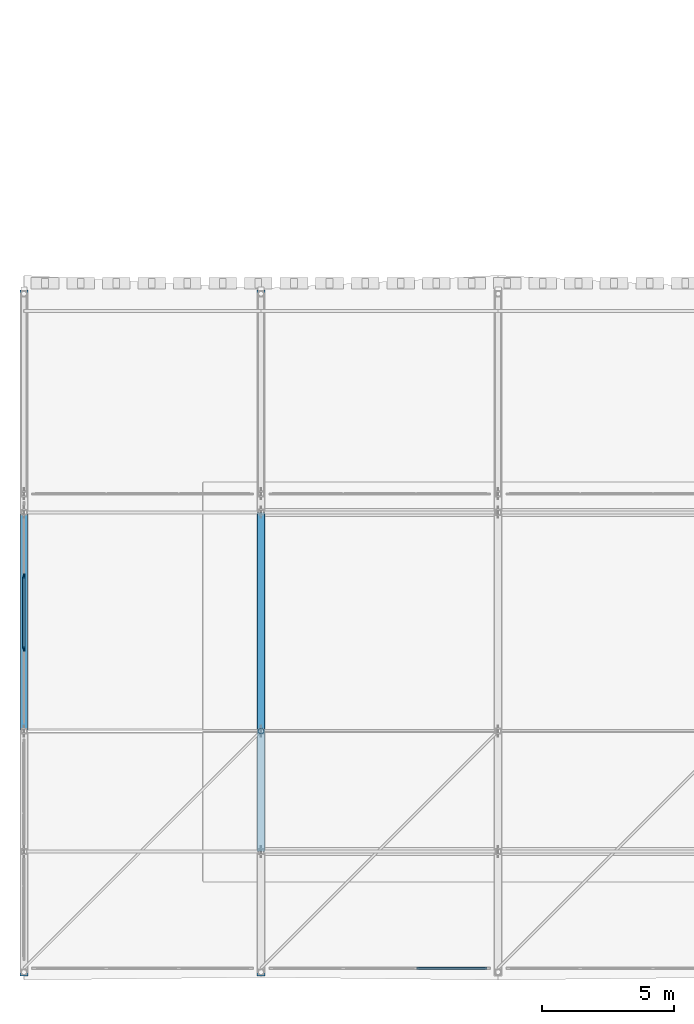
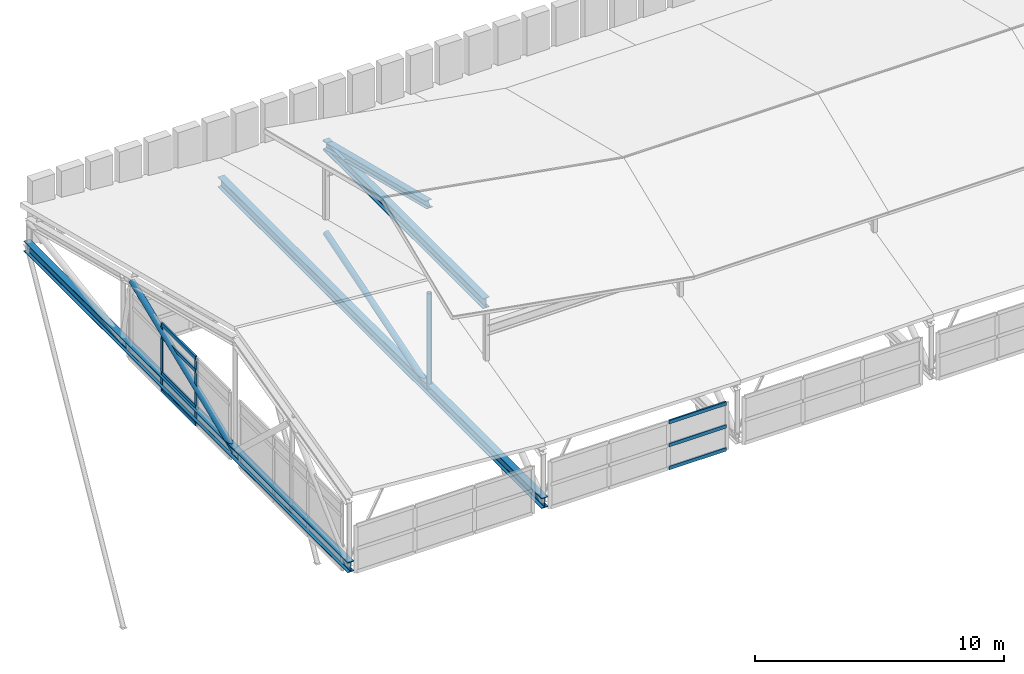
# One storey, part 2 of 42: 13 members, 3 beams, 2 elements without a shape of their own.
"""IFC4 building model written with IfcOpenShell, lengths in metres."""

from ifc_helpers import new_model, si_unit, direction, frame, origin, origin_2d, place, context, subcontext, project, spatial, rectangle, hollow_circle, i_section, extrude, material, material_profile, profile_set, type_object, element, aggregate, save


model = new_model("IFC4")

# Units and contexts
model_context = context("Model", 3, precision=1e-05, world=origin(), true_north=direction((0.0, 1.0)))
body_context = subcontext(model_context, "Body", "Model", "MODEL_VIEW")
ifc_project = project(units=[si_unit("LENGTHUNIT", "METRE"), si_unit("AREAUNIT", "SQUARE_METRE"), si_unit("VOLUMEUNIT", "CUBIC_METRE"), si_unit("PLANEANGLEUNIT", "RADIAN"), si_unit("MASSUNIT", "GRAM", prefix="KILO")], contexts=[model_context])

# Site, building, storey
site_placement = place(None, origin())
site = spatial("IfcSite", under=ifc_project, at=site_placement, CompositionType="ELEMENT")
building_placement = place(site_placement, origin())
building = spatial("IfcBuilding", under=site, at=building_placement, Name="Bozkorgan Art Gallery", CompositionType="ELEMENT")
storey_placement = place(building_placement, frame((0.0, 0.0, 28.800048828125)))
storey = spatial("IfcBuildingStorey", under=building, at=storey_placement, Name="RF", CompositionType="ELEMENT", Elevation=28.800048828125)

# Beams
ifc_material_1 = material(Name="Steel S355J2", Category="steel")
ifc_material_profile_1 = material_profile(ifc_material_1, i_section(OverallWidth=0.300048828125, OverallDepth=0.5, WebThickness=0.014404296875, FlangeThickness=0.028076171875, FilletRadius=0.027099609375, at=origin_2d()), Name="HEB 500")
ifc_profile_set_1 = profile_set([ifc_material_profile_1], Name="Steel S355J2")
beam_type_1 = type_object("IfcBeamType", Name="BEAM-TB-54", PredefinedType="BEAM", material=ifc_profile_set_1)
beam_placement = place(storey_placement, frame((11.0, 6.425048828125, 7.1904296875), z_axis=(0.0, 1.0, 0.0), x_axis=(-1.0, 0.0, 0.0)))
element("IfcBeam", 1, at=beam_placement, inside=storey, type_object=beam_type_1, Name="V1 stacked upper roof truss 1", PredefinedType="BEAM", context=body_context, shape_type="SweptSolid", body=[
    extrude(i_section(OverallWidth=0.300048828125, OverallDepth=0.5, WebThickness=0.014404296875, FlangeThickness=0.028076171875, FilletRadius=0.027099609375, at=origin_2d()), origin(), (0.0, 0.0, 1.0), 12.875),
])
ifc_material_profile_2 = material_profile(ifc_material_1, i_section(OverallWidth=0.300048828125, OverallDepth=0.5, WebThickness=0.014404296875, FlangeThickness=0.028076171875, FilletRadius=0.027099609375, at=origin_2d()), Name="HEB 500")
ifc_profile_set_2 = profile_set([ifc_material_profile_2], Name="Steel S355J2")
beam_type_2 = type_object("IfcBeamType", Name="BEAM-TO-52", PredefinedType="BEAM", material=ifc_profile_set_2)
for number, where, z_axis, x_axis, name in (
    (2, (2.0, 1.7099609375, 0.25), (0.0, 1.0, 0.0), (-1.0, 0.0, 0.0), "ROOF-V1-MAIN roof truss 1 bottom chord"),
    (3, (11.0, 1.7099609375, 0.25), (0.0, 1.0, 0.0), (-1.0, 0.0, 0.0), "ROOF-V1-MAIN roof truss 2 bottom chord"),
):
    element("IfcBeam", number, at=place(storey_placement, frame(where, z_axis=z_axis, x_axis=x_axis)), inside=storey, type_object=beam_type_2, Name=name, PredefinedType="BEAM", context=body_context, shape_type="SweptSolid", body=[
        extrude(i_section(OverallWidth=0.300048828125, OverallDepth=0.5, WebThickness=0.014404296875, FlangeThickness=0.028076171875, FilletRadius=0.027099609375, at=origin_2d()), origin(), (0.0, 0.0, 1.0), 26.030029296875),
    ])

# Curtain wall, members
ifc_material_2 = material(Name="Anodised Bronze Aluminium", Category="aluminium")
curtain_wall_type_1 = type_object("IfcCurtainWallType", Name="CW-CW-62", PredefinedType="NOTDEFINED", material=ifc_material_2)
curtain_wall_1_placement = place(storey_placement, origin())
curtain_wall_1 = element("IfcCurtainWall", 4, at=curtain_wall_1_placement, inside=storey, type_object=curtain_wall_type_1, Name="RF unitised curtain wall CW-RF-V1-W-11", PredefinedType="NOTDEFINED")
ifc_material_profile_3 = material_profile(ifc_material_2, rectangle(XDim=0.06494140625, YDim=0.179931640625, at=origin_2d()), Name="ALU MULLION 65x180")
ifc_profile_set_3 = profile_set([ifc_material_profile_3], Name="Anodised Bronze Aluminium")
member_type_1 = type_object("IfcMemberType", Name="CWM-01", PredefinedType="MULLION", material=ifc_profile_set_3)
member_1_placement = place(storey_placement, frame((2.0, 14.1201171875, -0.324951171875), z_axis=(0.0, 0.0, 1.0), x_axis=(-1.0, 0.0, 0.0)))
member_1 = element("IfcMember", 5, at=member_1_placement, type_object=member_type_1, Name="CW-62 mullion 2", PredefinedType="MULLION", context=body_context, shape_type="SweptSolid", body=[
    extrude(rectangle(XDim=0.06494140625, YDim=0.179931640625, at=origin_2d()), origin(), (0.0, 0.0, 1.0), 3.324951171875),
])
member_2_placement = place(storey_placement, frame((2.0, 16.8798828125, -0.324951171875), z_axis=(0.0, 0.0, 1.0), x_axis=(-1.0, 0.0, 0.0)))
member_2 = element("IfcMember", 6, at=member_2_placement, type_object=member_type_1, Name="CW-62 mullion 3", PredefinedType="MULLION", context=body_context, shape_type="SweptSolid", body=[
    extrude(rectangle(XDim=0.06494140625, YDim=0.179931640625, at=origin_2d()), origin(), (0.0, 0.0, 1.0), 3.324951171875),
])

curtain_wall_type_2 = type_object("IfcCurtainWallType", Name="CW-CW-28", PredefinedType="NOTDEFINED", material=ifc_material_2)
curtain_wall_2_placement = place(storey_placement, origin())
curtain_wall_2 = element("IfcCurtainWall", 7, at=curtain_wall_2_placement, inside=storey, type_object=curtain_wall_type_2, Name="RF unitised curtain wall CW-RF-V1-S-11", PredefinedType="NOTDEFINED")
ifc_material_profile_4 = material_profile(ifc_material_2, rectangle(XDim=0.074951171875, YDim=0.169921875, at=origin_2d()), Name="ALU TRANSOM 75x170")
ifc_profile_set_4 = profile_set([ifc_material_profile_4], Name="Anodised Bronze Aluminium")
member_type_2 = type_object("IfcMemberType", Name="CWT-02", PredefinedType="USERDEFINED", material=ifc_profile_set_4)
member_3_placement = place(storey_placement, frame((16.91259765625, 2.0, -0.28759765625), z_axis=(1.0, 0.0, 0.0), x_axis=(0.0, 1.0, 0.0)))
member_3 = element("IfcMember", 8, at=member_3_placement, type_object=member_type_2, Name="CW-28 transom 3.1", ObjectType="TRANSOM", PredefinedType="USERDEFINED", context=body_context, shape_type="SweptSolid", body=[
    extrude(rectangle(XDim=0.074951171875, YDim=0.169921875, at=origin_2d()), origin(), (0.0, 0.0, 1.0), 2.662353515625),
])
member_4_placement = place(storey_placement, frame((16.91259765625, 2.0, 0.837890625), z_axis=(1.0, 0.0, 0.0), x_axis=(0.0, 1.0, 0.0)))
member_4 = element("IfcMember", 9, at=member_4_placement, type_object=member_type_2, Name="CW-28 transom 3.2", ObjectType="TRANSOM", PredefinedType="USERDEFINED", context=body_context, shape_type="SweptSolid", body=[
    extrude(rectangle(XDim=0.074951171875, YDim=0.169921875, at=origin_2d()), origin(), (0.0, 0.0, 1.0), 2.662353515625),
])
member_5_placement = place(storey_placement, frame((16.91259765625, 2.0, 1.96240234375), z_axis=(1.0, 0.0, 0.0), x_axis=(0.0, 1.0, 0.0)))
member_5 = element("IfcMember", 10, at=member_5_placement, type_object=member_type_2, Name="CW-28 transom 3.3", ObjectType="TRANSOM", PredefinedType="USERDEFINED", context=body_context, shape_type="SweptSolid", body=[
    extrude(rectangle(XDim=0.074951171875, YDim=0.169921875, at=origin_2d()), origin(), (0.0, 0.0, 1.0), 2.662353515625),
])
aggregate(curtain_wall_2, [member_3, member_4, member_5])

# Member
member_6_placement = place(storey_placement, frame((2.0, 14.152587890625, -0.28759765625), z_axis=(0.0, 1.0, 0.0), x_axis=(-1.0, 0.0, 0.0)))
member_6 = element("IfcMember", 11, at=member_6_placement, type_object=member_type_2, Name="CW-62 transom 2.1", ObjectType="TRANSOM", PredefinedType="USERDEFINED", context=body_context, shape_type="SweptSolid", body=[
    extrude(rectangle(XDim=0.074951171875, YDim=0.169921875, at=origin_2d()), origin(), (0.0, 0.0, 1.0), 2.69482421875),
])

member_7_placement = place(storey_placement, frame((2.0, 14.152587890625, 0.574951171875), z_axis=(0.0, 1.0, 0.0), x_axis=(-1.0, 0.0, 0.0)))
member_7 = element("IfcMember", 12, at=member_7_placement, type_object=member_type_2, Name="CW-62 transom 2.2", ObjectType="TRANSOM", PredefinedType="USERDEFINED", context=body_context, shape_type="SweptSolid", body=[
    extrude(rectangle(XDim=0.074951171875, YDim=0.169921875, at=origin_2d()), origin(), (0.0, 0.0, 1.0), 2.69482421875),
])

member_8_placement = place(storey_placement, frame((2.0, 14.152587890625, 2.349853515625), z_axis=(0.0, 1.0, 0.0), x_axis=(-1.0, 0.0, 0.0)))
member_8 = element("IfcMember", 13, at=member_8_placement, type_object=member_type_2, Name="CW-62 transom 2.3", ObjectType="TRANSOM", PredefinedType="USERDEFINED", context=body_context, shape_type="SweptSolid", body=[
    extrude(rectangle(XDim=0.074951171875, YDim=0.169921875, at=origin_2d()), origin(), (0.0, 0.0, 1.0), 2.69482421875),
])

member_9_placement = place(storey_placement, frame((2.0, 14.152587890625, 2.96240234375), z_axis=(0.0, 1.0, 0.0), x_axis=(-1.0, 0.0, 0.0)))
member_9 = element("IfcMember", 14, at=member_9_placement, type_object=member_type_2, Name="CW-62 transom 2.4", ObjectType="TRANSOM", PredefinedType="USERDEFINED", context=body_context, shape_type="SweptSolid", body=[
    extrude(rectangle(XDim=0.074951171875, YDim=0.169921875, at=origin_2d()), origin(), (0.0, 0.0, 1.0), 2.69482421875),
])

aggregate(curtain_wall_1, [member_1, member_2, member_6, member_7, member_8, member_9])

# Members
ifc_material_profile_5 = material_profile(ifc_material_1, i_section(OverallWidth=0.300048828125, OverallDepth=0.35009765625, WebThickness=0.010009765625, FlangeThickness=0.017578125, FilletRadius=0.027099609375, at=origin_2d()), Name="HEA 360")
ifc_profile_set_5 = profile_set([ifc_material_profile_5], Name="Steel S355J2")
member_type_3 = type_object("IfcMemberType", Name="MEMBER-TC-31", PredefinedType="CHORD", material=ifc_profile_set_5)
member_10_placement = place(storey_placement, frame((11.0, 11.0, 9.260009765625), z_axis=(0.0, 0.970291734009, -0.241937907145), x_axis=(-1.0, 0.0, 0.0)))
element("IfcMember", 15, at=member_10_placement, inside=storey, type_object=member_type_3, Name="V1 stacked upper north chord 1", PredefinedType="CHORD", context=body_context, shape_type="SweptSolid", body=[
    extrude(i_section(OverallWidth=0.300048828125, OverallDepth=0.35009765625, WebThickness=0.010009765625, FlangeThickness=0.017578125, FilletRadius=0.027099609375, at=origin_2d()), origin(), (0.0, 0.0, 1.0), 8.55419921875),
])
ifc_material_profile_6 = material_profile(ifc_material_1, hollow_circle(Radius=0.109619140625, WallThickness=0.010009765625, at=origin_2d()), Name="CHS 219.1x10")
ifc_profile_set_6 = profile_set([ifc_material_profile_6], Name="Steel S355J2")
member_type_4 = type_object("IfcMemberType", Name="MEMBER-TP-78", PredefinedType="POST", material=ifc_profile_set_6)
member_11_placement = place(storey_placement, frame((11.0, 11.0, 0.25), z_axis=(0.0, 0.0, 1.0), x_axis=(1.0, 0.0, 0.0)))
element("IfcMember", 16, at=member_11_placement, inside=storey, type_object=member_type_4, Name="ROOF-V1-MAIN roof truss 2 post 2", PredefinedType="POST", context=body_context, shape_type="SweptSolid", body=[
    extrude(hollow_circle(Radius=0.109619140625, WallThickness=0.010009765625, at=origin_2d()), origin(), (0.0, 0.0, 1.0), 4.67724609375),
])
ifc_material_profile_7 = material_profile(ifc_material_1, hollow_circle(Radius=0.136474609375, WallThickness=0.012451171875, at=origin_2d()), Name="CHS 273x12.5")
ifc_profile_set_7 = profile_set([ifc_material_profile_7], Name="Steel S355J2")
member_type_5 = type_object("IfcMemberType", Name="MEMBER-TW-28", PredefinedType="BRACE", material=ifc_profile_set_7)
member_12_placement = place(storey_placement, frame((2.0, 11.0, 0.25), z_axis=(0.0, 0.927095549346, 0.374825082383), x_axis=(-1.0, 0.0, 0.0)))
element("IfcMember", 17, at=member_12_placement, inside=storey, type_object=member_type_5, Name="ROOF-V1-MAIN roof truss 1 diagonal 3", PredefinedType="BRACE", context=body_context, shape_type="SweptSolid", body=[
    extrude(hollow_circle(Radius=0.136474609375, WallThickness=0.012451171875, at=origin_2d()), origin(), (0.0, 0.0, 1.0), 8.95263671875),
])
member_13_placement = place(storey_placement, frame((11.0, 11.0, 0.25), z_axis=(0.0, 0.955030676721, 0.29650700923), x_axis=(-1.0, 0.0, 0.0)))
element("IfcMember", 18, at=member_13_placement, inside=storey, type_object=member_type_5, Name="ROOF-V1-MAIN roof truss 2 diagonal 3", PredefinedType="BRACE", context=body_context, shape_type="SweptSolid", body=[
    extrude(hollow_circle(Radius=0.136474609375, WallThickness=0.012451171875, at=origin_2d()), origin(), (0.0, 0.0, 1.0), 8.69091796875),
])

save(model, "model.ifc")
